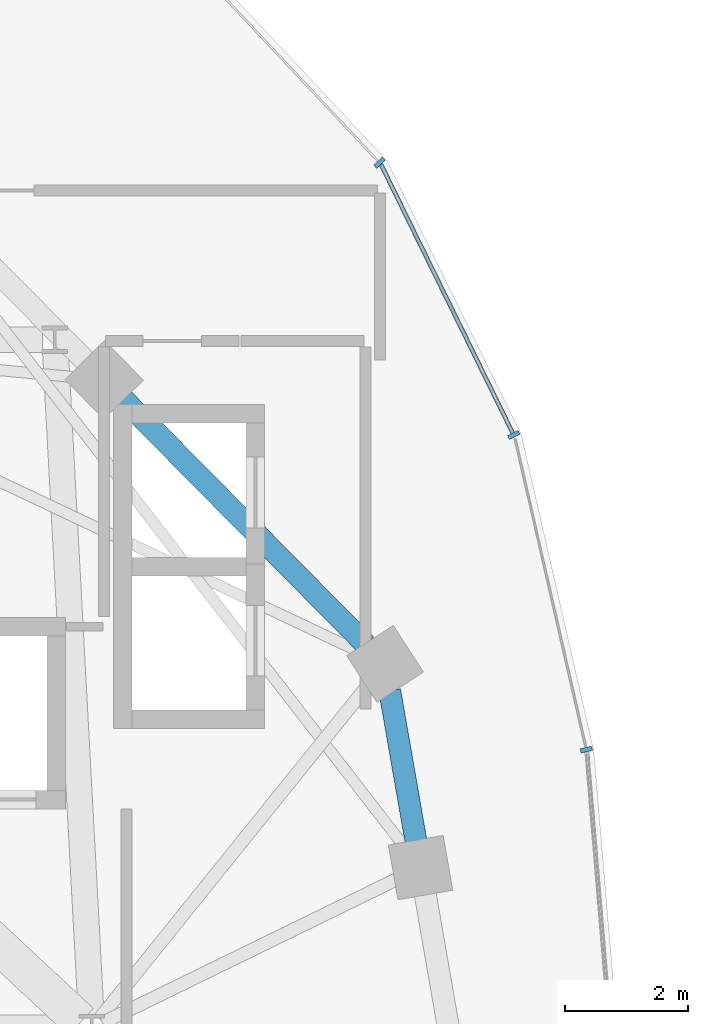
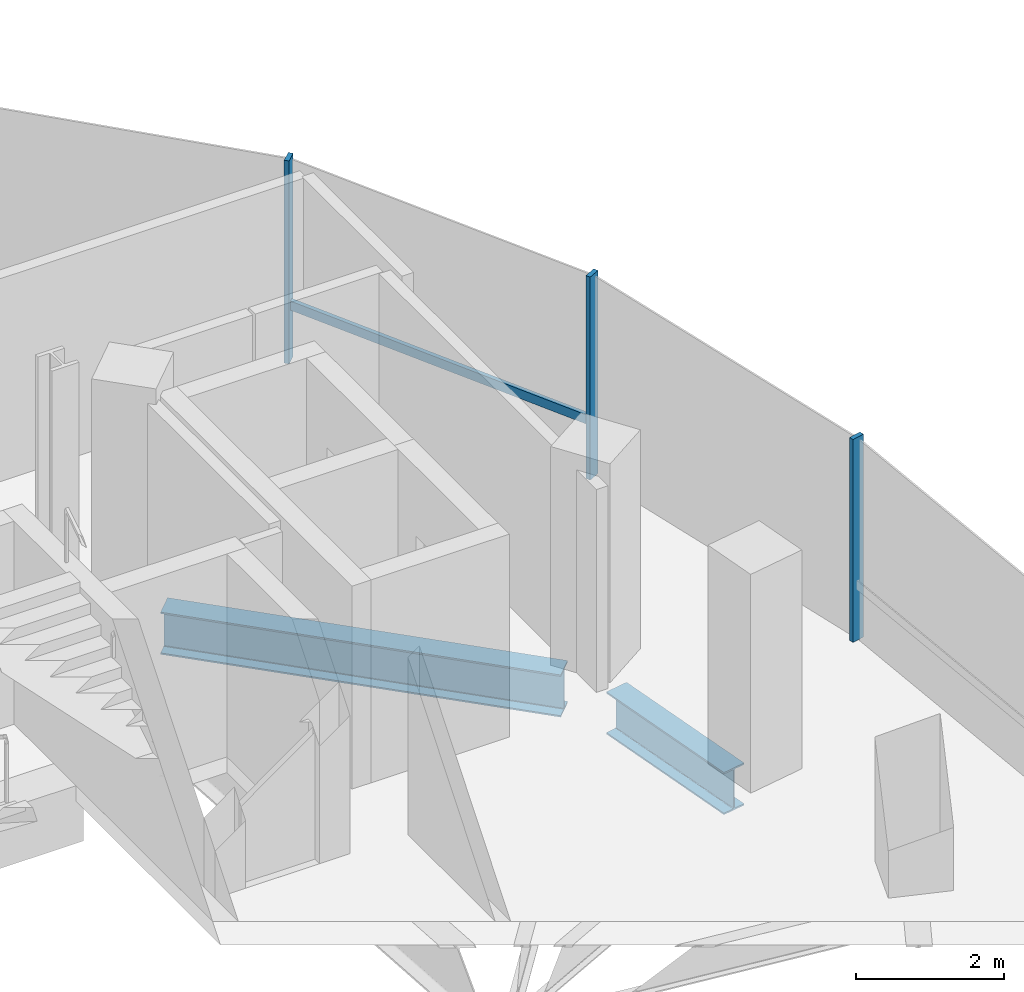
# One storey, part 7 of 25: 4 members, 2 beams, 1 element without a shape of its own.
"""IFC4 building model written with IfcOpenShell, lengths in metres."""

from ifc_helpers import new_model, si_unit, direction, frame, origin, origin_2d, place, context, subcontext, project, spatial, rectangle, i_section, extrude, material, material_profile, profile_set, type_object, element, aggregate, save


model = new_model("IFC4")

# Units and contexts
model_context = context("Model", 3, precision=1e-05, world=origin(), true_north=direction((0.0, 1.0)))
body_context = subcontext(model_context, "Body", "Model", "MODEL_VIEW")
ifc_project = project(units=[si_unit("LENGTHUNIT", "METRE"), si_unit("AREAUNIT", "SQUARE_METRE"), si_unit("VOLUMEUNIT", "CUBIC_METRE"), si_unit("PLANEANGLEUNIT", "RADIAN"), si_unit("MASSUNIT", "GRAM", prefix="KILO"), si_unit("THERMODYNAMICTEMPERATUREUNIT", "KELVIN"), si_unit("POWERUNIT", "WATT")], contexts=[model_context])

# Site, building, storey
site_placement = place(None, origin())
site = spatial("IfcSite", under=ifc_project, at=site_placement, CompositionType="ELEMENT")
building_placement = place(site_placement, origin())
building = spatial("IfcBuilding", under=site, at=building_placement, Name="Cundina Bronze Exchange", CompositionType="ELEMENT")
storey_placement = place(building_placement, frame((0.0, 0.0, 213.39990234375)))
storey = spatial("IfcBuildingStorey", under=building, at=storey_placement, Name="L56", CompositionType="ELEMENT", Elevation=213.39990234375)

# Beams
ifc_material_1 = material(Name="Steel ASTM A992 Grade 50", Category="steel")
ifc_material_profile_1 = material_profile(ifc_material_1, i_section(OverallWidth=0.35498046875, OverallDepth=0.695068359375, WebThickness=0.015380859375, FlangeThickness=0.02490234375, FilletRadius=0.01806640625, at=origin_2d()), Name="W27X146", Category="steel")
ifc_profile_set_1 = profile_set([ifc_material_profile_1], Name="Steel ASTM A992 Grade 50")
beam_type = type_object("IfcBeamType", Name="BM-RING-W27", PredefinedType="USERDEFINED", material=ifc_profile_set_1)
beam_1_placement = place(storey_placement, frame((-16.2001953125, 6.931396484375, -0.607421875), z_axis=(-0.171628556628, 0.985161732179, 0.0), x_axis=(-0.985161732179, -0.171628556628, 0.0)))
element("IfcBeam", 1, at=beam_1_placement, inside=storey, type_object=beam_type, Name="L56 W Perimeter Ring Girder 01", ObjectType="GIRDER", PredefinedType="USERDEFINED", context=body_context, shape_type="SweptSolid", body=[
    extrude(i_section(OverallWidth=0.35498046875, OverallDepth=0.695068359375, WebThickness=0.015380859375, FlangeThickness=0.02490234375, FilletRadius=0.01806640625, at=origin_2d()), origin(), (0.0, 0.0, 1.0), 2.4736328125),
])
beam_2_placement = place(storey_placement, frame((-17.008056640625, 10.111328125, -0.607421875), z_axis=(-0.703211928763, 0.710980297368, 0.0), x_axis=(-0.710980297368, -0.703211928763, 0.0)))
element("IfcBeam", 2, at=beam_2_placement, inside=storey, type_object=beam_type, Name="L56 W Perimeter Ring Girder 02", ObjectType="GIRDER", PredefinedType="USERDEFINED", context=body_context, shape_type="SweptSolid", body=[
    extrude(i_section(OverallWidth=0.35498046875, OverallDepth=0.695068359375, WebThickness=0.015380859375, FlangeThickness=0.02490234375, FilletRadius=0.01806640625, at=origin_2d()), origin(), (0.0, 0.0, 1.0), 5.593994140625),
])

# Curtain wall, members
ifc_material_2 = material(Name="Anodised Bronze Aluminium 6063-T6", Category="aluminium")
curtain_wall_type = type_object("IfcCurtainWallType", Name="CWS-UPP-OFF", PredefinedType="NOTDEFINED", material=ifc_material_2)
curtain_wall_placement = place(storey_placement, origin())
curtain_wall = element("IfcCurtainWall", 3, at=curtain_wall_placement, inside=storey, type_object=curtain_wall_type, Name="L56 CW-05 Curtain Wall Run CWR-L56-W1", PredefinedType="NOTDEFINED")
ifc_material_profile_2 = material_profile(ifc_material_2, rectangle(XDim=0.070068359375, YDim=0.18994140625, at=origin_2d()), Name="AL70X190", Category="aluminium")
ifc_profile_set_2 = profile_set([ifc_material_profile_2], Name="Anodised Bronze Aluminium 6063-T6")
member_type_1 = type_object("IfcMemberType", Name="CWM-MUL-190", PredefinedType="MULLION", material=ifc_profile_set_2)
member_1_placement = place(storey_placement, frame((-13.43994140625, 8.4111328125, 0.0), z_axis=(0.0, 0.0, 1.0), x_axis=(-0.223250116011, 0.974761194191, 0.0)))
member_1 = element("IfcMember", 4, at=member_1_placement, type_object=member_type_1, Name="CW-05 Mullion 2", PredefinedType="MULLION", context=body_context, shape_type="SweptSolid", body=[
    extrude(rectangle(XDim=0.070068359375, YDim=0.18994140625, at=origin_2d()), origin(), (0.0, 0.0, 1.0), 3.340087890625),
])
member_2_placement = place(storey_placement, frame((-14.61572265625, 13.50732421875, 0.0), z_axis=(0.0, 0.0, 1.0), x_axis=(-0.440566004113, 0.897720221461, 0.0)))
member_2 = element("IfcMember", 5, at=member_2_placement, type_object=member_type_1, Name="CW-05 Mullion 3", PredefinedType="MULLION", context=body_context, shape_type="SweptSolid", body=[
    extrude(rectangle(XDim=0.070068359375, YDim=0.18994140625, at=origin_2d()), origin(), (0.0, 0.0, 1.0), 3.340087890625),
])
member_3_placement = place(storey_placement, frame((-16.790283203125, 17.91796875, 0.0), z_axis=(0.0, 0.0, 1.0), x_axis=(-0.684292606175, 0.729207535023, 0.0)))
member_3 = element("IfcMember", 6, at=member_3_placement, type_object=member_type_1, Name="CW-05 Mullion 4", PredefinedType="MULLION", context=body_context, shape_type="SweptSolid", body=[
    extrude(rectangle(XDim=0.070068359375, YDim=0.18994140625, at=origin_2d()), origin(), (0.0, 0.0, 1.0), 3.340087890625),
])
ifc_material_profile_3 = material_profile(ifc_material_2, rectangle(XDim=0.06494140625, YDim=0.14990234375, at=origin_2d()), Name="AL65X150", Category="aluminium")
ifc_profile_set_3 = profile_set([ifc_material_profile_3], Name="Anodised Bronze Aluminium 6063-T6")
member_type_2 = type_object("IfcMemberType", Name="CWM-TRN-150", PredefinedType="USERDEFINED", material=ifc_profile_set_3)
member_4_placement = place(storey_placement, frame((-14.6328125, 13.5419921875, 0.920166015625), z_axis=(-0.440483110889, 0.897760897467, 0.0), x_axis=(-0.897760897467, -0.440483110889, 0.0)))
member_4 = element("IfcMember", 7, at=member_4_placement, type_object=member_type_2, Name="CW-05 Spandrel Transom 3", ObjectType="TRANSOM", PredefinedType="USERDEFINED", context=body_context, shape_type="SweptSolid", body=[
    extrude(rectangle(XDim=0.06494140625, YDim=0.14990234375, at=origin_2d()), origin(), (0.0, 0.0, 1.0), 4.855224609375),
])
aggregate(curtain_wall, [member_1, member_2, member_4, member_3])

save(model, "model.ifc")
